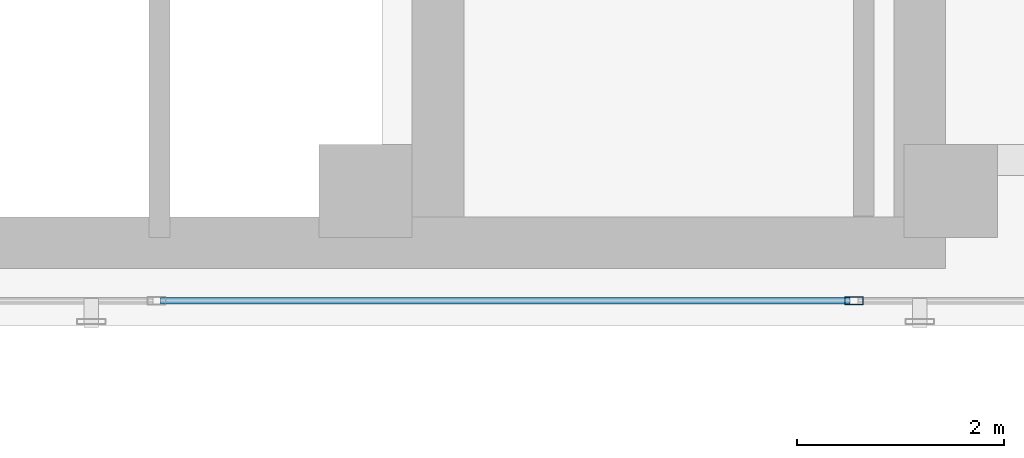
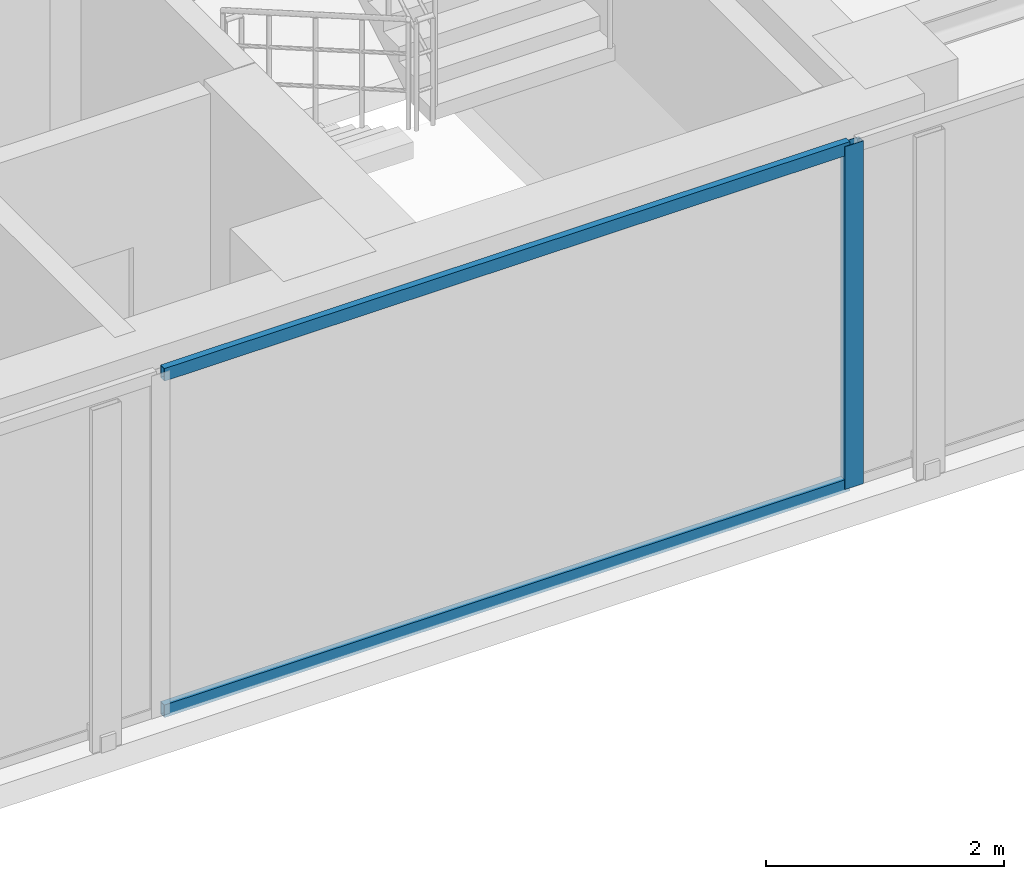
# One storey, part 3 of 32: 3 members, 1 element without a shape of its own.
"""IFC4 building model written with IfcOpenShell, lengths in metres."""

from ifc_helpers import new_model, si_unit, direction, frame, origin, origin_with_axes, origin_2d, place, context, subcontext, project, spatial, hollow_rectangle, extrude, source, transform, mapped, material, layer, layer_set, material_profile, profile_set, type_object, element, aggregate, save


model = new_model("IFC4")

# Units and contexts
model_context = context("Model", 3, precision=1e-05, world=origin(), true_north=direction((0.0, 1.0)))
body_context = subcontext(model_context, "Body", "Model", "MODEL_VIEW")
ifc_project = project(units=[si_unit("LENGTHUNIT", "METRE"), si_unit("AREAUNIT", "SQUARE_METRE"), si_unit("VOLUMEUNIT", "CUBIC_METRE"), si_unit("PLANEANGLEUNIT", "RADIAN"), si_unit("MASSUNIT", "GRAM", prefix="KILO")], contexts=[model_context])

# Site, building, storey
site_placement = place(None, origin())
site = spatial("IfcSite", under=ifc_project, at=site_placement, CompositionType="ELEMENT")
building_placement = place(site_placement, origin())
building = spatial("IfcBuilding", under=site, at=building_placement, Name="Kolvaren Waterfront Exchange", CompositionType="ELEMENT")
storey_placement = place(building_placement, frame((0.0, 0.0, 348.10009765625)))
storey = spatial("IfcBuildingStorey", under=building, at=storey_placement, Name="L89", CompositionType="ELEMENT", Elevation=348.10009765625)

# Curtain wall, members
ifc_material = material(Name="Anodised bronze aluminium 6063-T6", Category="aluminium")
ifc_layer = layer(ifc_material, 0.219970703125, Name="Anodised bronze aluminium 6063-T6")
ifc_layer_set = layer_set([ifc_layer], Name="Anodised bronze aluminium 6063-T6")
curtain_wall_type = type_object("IfcCurtainWallType", Name="ARC-CW-SYS5", PredefinedType="USERDEFINED", material=ifc_layer_set)
curtain_wall_placement = place(storey_placement, origin())
curtain_wall = element("IfcCurtainWall", 1, at=curtain_wall_placement, inside=storey, type_object=curtain_wall_type, Name="L89 stick curtain wall CW5 (CW-L89-S)", ObjectType="STICK CURTAIN WALL", PredefinedType="USERDEFINED")
ifc_material_profile_1 = material_profile(ifc_material, hollow_rectangle(XDim=0.06494140625, YDim=0.1298828125, WallThickness=0.00390625, at=origin_2d()), Name="ALU-TRN-130x65x4")
ifc_profile_set_1 = profile_set([ifc_material_profile_1], Name="Anodised bronze aluminium 6063-T6")
member_type_1 = type_object("IfcMemberType", Name="ARC-CWT-130", PredefinedType="USERDEFINED", material=ifc_profile_set_1)
shared_shape_1 = source(origin_with_axes(), body_context, "Body", "SweptSolid", [
    extrude(hollow_rectangle(XDim=0.06494140625, YDim=0.1298828125, WallThickness=0.00390625, at=origin_2d()), origin(), (0.0, 0.0, 1.0), 6.658203125),
])
member_1_placement = place(storey_placement, frame((13.470947265625, 3.840087890625, 0.032470703125), z_axis=(1.0, 0.0, 0.0), x_axis=(0.0, 1.0, 0.0)))
member_1 = element("IfcMember", 2, at=member_1_placement, type_object=member_type_1, Name="CW5 transom 2.1", ObjectType="TRANSOM", PredefinedType="USERDEFINED", context=body_context, shape_type="MappedRepresentation", body=[
    mapped(shared_shape_1, transform((0.0, 0.0, 0.0), x_axis=(1.0, 0.0, 0.0), y_axis=(0.0, 1.0, 0.0), z_axis=(0.0, 0.0, 1.0), scale=1.0)),
])
member_2_placement = place(storey_placement, frame((13.470947265625, 3.840087890625, 3.4873046875), z_axis=(1.0, 0.0, 0.0), x_axis=(0.0, 1.0, 0.0)))
member_2 = element("IfcMember", 3, at=member_2_placement, type_object=member_type_1, Name="CW5 transom 2.2", ObjectType="TRANSOM", PredefinedType="USERDEFINED", context=body_context, shape_type="MappedRepresentation", body=[
    mapped(shared_shape_1, transform((0.0, 0.0, 0.0), x_axis=(1.0, 0.0, 0.0), y_axis=(0.0, 1.0, 0.0), z_axis=(0.0, 0.0, 1.0), scale=1.0)),
])
ifc_material_profile_2 = material_profile(ifc_material, hollow_rectangle(XDim=0.074951171875, YDim=0.179931640625, WallThickness=0.00439453125, at=origin_2d()), Name="ALU-MUL-180x75x4.5")
ifc_profile_set_2 = profile_set([ifc_material_profile_2], Name="Anodised bronze aluminium 6063-T6")
member_type_2 = type_object("IfcMemberType", Name="ARC-CWM-180", PredefinedType="MULLION", material=ifc_profile_set_2)
shared_shape_2 = source(origin_with_axes(), body_context, "Body", "SweptSolid", [
    extrude(hollow_rectangle(XDim=0.074951171875, YDim=0.179931640625, WallThickness=0.00439453125, at=origin_2d()), origin(), (0.0, 0.0, 1.0), 3.52001953125),
])
member_3_placement = place(storey_placement, frame((20.166748046875, 3.840087890625, 0.0), z_axis=(0.0, 0.0, 1.0), x_axis=(0.0, 1.0, 0.0)))
member_3 = element("IfcMember", 4, at=member_3_placement, type_object=member_type_2, Name="CW5 mullion 3", PredefinedType="MULLION", context=body_context, shape_type="MappedRepresentation", body=[
    mapped(shared_shape_2, transform((0.0, 0.0, 0.0), x_axis=(1.0, 0.0, 0.0), y_axis=(0.0, 1.0, 0.0), z_axis=(0.0, 0.0, 1.0), scale=1.0)),
])
aggregate(curtain_wall, [member_3, member_1, member_2])

save(model, "model.ifc")
